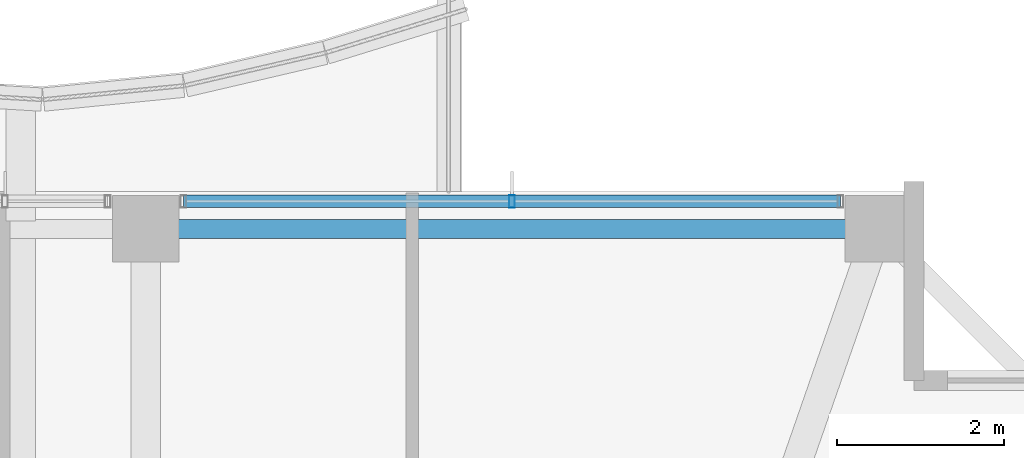
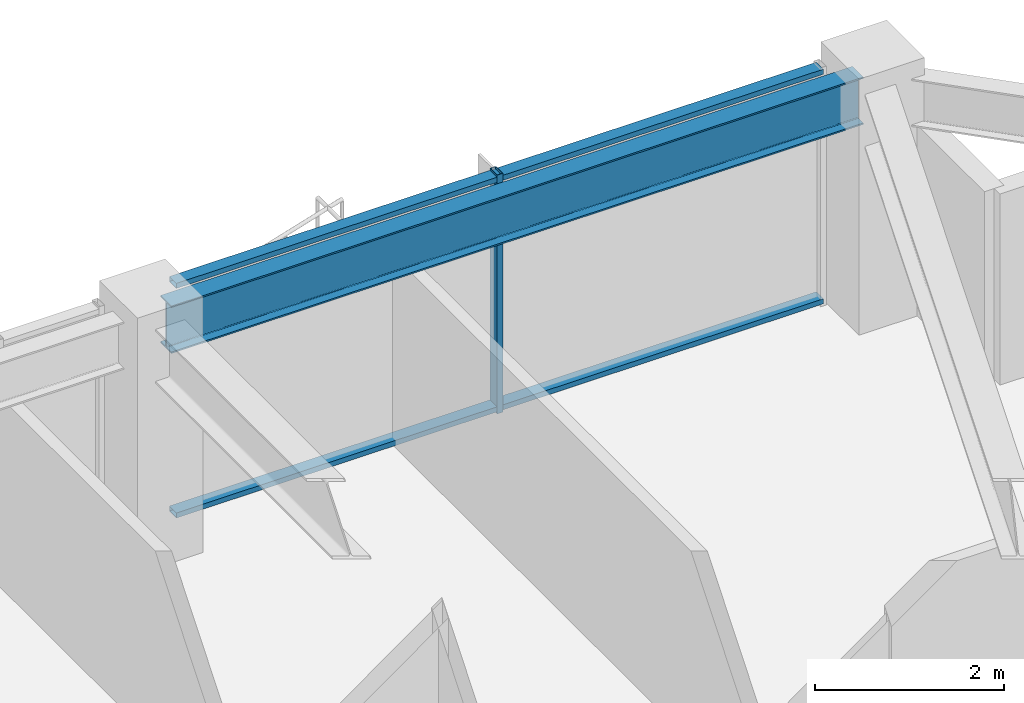
# One storey, part 19 of 36: 3 members, 1 beam, 1 element without a shape of its own.
"""IFC4 building model written with IfcOpenShell, lengths in metres."""

from ifc_helpers import new_model, si_unit, direction, frame, origin, origin_2d, place, context, subcontext, project, spatial, hollow_rectangle, i_section, extrude, material, material_profile, profile_set, type_object, element, aggregate, save


model = new_model("IFC4")

# Units and contexts
model_context = context("Model", 3, precision=1e-05, world=origin(), true_north=direction((0.0, 1.0)))
body_context = subcontext(model_context, "Body", "Model", "MODEL_VIEW")
ifc_project = project(units=[si_unit("LENGTHUNIT", "METRE"), si_unit("AREAUNIT", "SQUARE_METRE"), si_unit("VOLUMEUNIT", "CUBIC_METRE"), si_unit("PLANEANGLEUNIT", "RADIAN"), si_unit("MASSUNIT", "GRAM", prefix="KILO")], contexts=[model_context])

# Site, building, storey
site_placement = place(None, origin())
site = spatial("IfcSite", under=ifc_project, at=site_placement, CompositionType="ELEMENT")
building_placement = place(site_placement, origin())
building = spatial("IfcBuilding", under=site, at=building_placement, Name="Kolvaren Belvedere", CompositionType="ELEMENT")
storey_placement = place(building_placement, frame((0.0, 0.0, 226.199951171875)))
storey = spatial("IfcBuildingStorey", under=building, at=storey_placement, Name="L66", CompositionType="ELEMENT", Elevation=226.199951171875)

# Beam
ifc_material_1 = material(Name="Structural steel ASTM A992 Grade 50", Category="steel")
ifc_material_profile_1 = material_profile(ifc_material_1, i_section(OverallWidth=0.22900390625, OverallDepth=0.612060546875, WebThickness=0.011962890625, FlangeThickness=0.01953125, FilletRadius=0.01806640625, at=origin_2d()), Name="W24X84")
ifc_profile_set_1 = profile_set([ifc_material_profile_1], Name="Structural steel ASTM A992 Grade 50")
beam_type = type_object("IfcBeamType", Name="BM-SPAN-W24X84", PredefinedType="SPANDREL", material=ifc_profile_set_1)
beam_placement = place(storey_placement, frame((13.219970703125, 19.949951171875, 2.774169921875), z_axis=(-1.0, 0.0, 0.0), x_axis=(0.0, -1.0, 0.0)))
element("IfcBeam", 1, at=beam_placement, inside=storey, type_object=beam_type, Name="L66 Perimeter Spandrel N4-N3", PredefinedType="SPANDREL", context=body_context, shape_type="SweptSolid", body=[
    extrude(i_section(OverallWidth=0.22900390625, OverallDepth=0.612060546875, WebThickness=0.011962890625, FlangeThickness=0.01953125, FilletRadius=0.01806640625, at=origin_2d()), origin(), (0.0, 0.0, 1.0), 8.43994140625),
])

# Curtain wall, members
ifc_material_2 = material(Name="Anodised pale-metal aluminium AA 6063-T6", Category="aluminium")
curtain_wall_type = type_object("IfcCurtainWallType", Name="CW-Z5-HIGH", PredefinedType="NOTDEFINED", material=ifc_material_2)
curtain_wall_placement = place(storey_placement, origin())
curtain_wall = element("IfcCurtainWall", 2, at=curtain_wall_placement, inside=storey, type_object=curtain_wall_type, Name="L66 Unitised Curtain Wall FCW-L66-N2-B2", PredefinedType="NOTDEFINED")
ifc_material_3 = material(Name="Anodised pale-metal aluminium AA 6063-T6", Category="aluminium")
ifc_material_profile_2 = material_profile(ifc_material_3, hollow_rectangle(XDim=0.070068359375, YDim=0.14990234375, WallThickness=0.004150390625, at=origin_2d()), Name="ALU-MUL-150X70")
ifc_profile_set_2 = profile_set([ifc_material_profile_2], Name="Anodised pale-metal aluminium AA 6063-T6")
member_type_1 = type_object("IfcMemberType", Name="CW-MUL-150", PredefinedType="MULLION", material=ifc_profile_set_2)
member_1_placement = place(storey_placement, frame((9.0, 20.280029296875, 0.0), z_axis=(0.0, 0.0, 1.0), x_axis=(1.0, 0.0, 0.0)))
member_1 = element("IfcMember", 3, at=member_1_placement, type_object=member_type_1, Name="FCW-L66-N2-B2 Unitised Mullion 2", PredefinedType="MULLION", context=body_context, shape_type="SweptSolid", body=[
    extrude(hollow_rectangle(XDim=0.070068359375, YDim=0.14990234375, WallThickness=0.004150390625, at=origin_2d()), origin(), (0.0, 0.0, 1.0), 3.080078125),
])
ifc_material_4 = material(Name="Anodised pale-metal aluminium AA 6063-T6", Category="aluminium")
ifc_material_profile_3 = material_profile(ifc_material_4, hollow_rectangle(XDim=0.06494140625, YDim=0.14990234375, WallThickness=0.00390625, at=origin_2d()), Name="ALU-TRN-150X65")
ifc_profile_set_3 = profile_set([ifc_material_profile_3], Name="Anodised pale-metal aluminium AA 6063-T6")
member_type_2 = type_object("IfcMemberType", Name="CW-TRN-150", PredefinedType="USERDEFINED", material=ifc_profile_set_3)
member_2_placement = place(storey_placement, frame((5.054931640625, 20.280029296875, 0.06005859375), z_axis=(1.0, 0.0, 0.0), x_axis=(0.0, 0.0, 1.0)))
member_2 = element("IfcMember", 4, at=member_2_placement, type_object=member_type_2, Name="FCW-L66-N2-B2 Sill Transom", ObjectType="TRANSOM", PredefinedType="USERDEFINED", context=body_context, shape_type="SweptSolid", body=[
    extrude(hollow_rectangle(XDim=0.06494140625, YDim=0.14990234375, WallThickness=0.00390625, at=origin_2d()), origin(), (0.0, 0.0, 1.0), 7.89013671875),
])
member_3_placement = place(storey_placement, frame((5.054931640625, 20.280029296875, 3.02001953125), z_axis=(1.0, 0.0, 0.0), x_axis=(0.0, 0.0, 1.0)))
member_3 = element("IfcMember", 5, at=member_3_placement, type_object=member_type_2, Name="FCW-L66-N2-B2 Head Transom", ObjectType="TRANSOM", PredefinedType="USERDEFINED", context=body_context, shape_type="SweptSolid", body=[
    extrude(hollow_rectangle(XDim=0.06494140625, YDim=0.14990234375, WallThickness=0.00390625, at=origin_2d()), origin(), (0.0, 0.0, 1.0), 7.89013671875),
])
aggregate(curtain_wall, [member_1, member_2, member_3])

save(model, "model.ifc")
